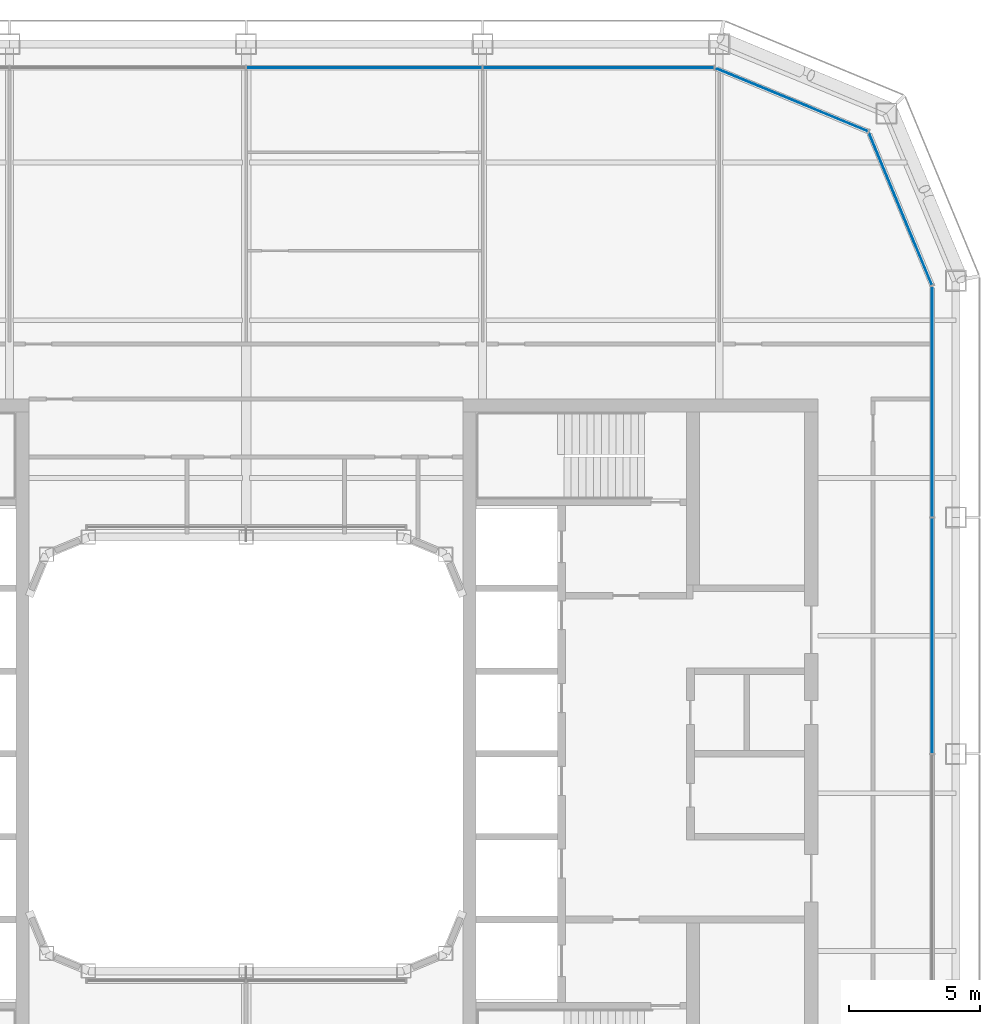
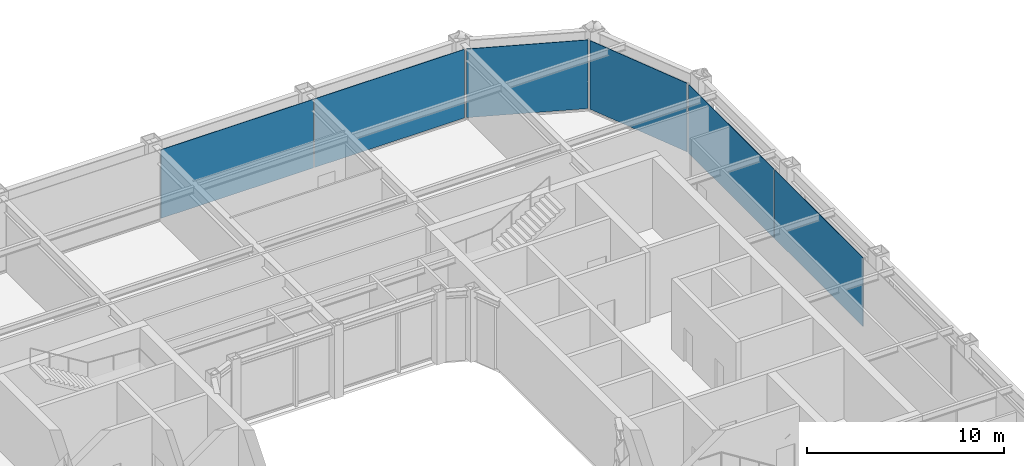
# One storey, part 12 of 23: 6 plates, 4 elements without a shape of their own.
"""IFC4 building model written with IfcOpenShell, lengths in metres."""

from ifc_helpers import new_model, si_unit, direction, frame, origin, origin_2d, place, context, subcontext, project, spatial, rectangle, extrude, material, layer, layer_set, type_object, element, aggregate, save


model = new_model("IFC4")

# Units and contexts
model_context = context("Model", 3, precision=1e-05, world=origin(), true_north=direction((0.0, 1.0)))
body_context = subcontext(model_context, "Body", "Model", "MODEL_VIEW")
ifc_project = project(units=[si_unit("LENGTHUNIT", "METRE"), si_unit("AREAUNIT", "SQUARE_METRE"), si_unit("VOLUMEUNIT", "CUBIC_METRE"), si_unit("PLANEANGLEUNIT", "RADIAN"), si_unit("MASSUNIT", "GRAM", prefix="KILO")], contexts=[model_context])

# Site, building, storey
site_placement = place(None, origin())
site = spatial("IfcSite", under=ifc_project, at=site_placement, CompositionType="ELEMENT")
building_placement = place(site_placement, origin())
building = spatial("IfcBuilding", under=site, at=building_placement, Name="Siwar Civic Tower", CompositionType="ELEMENT")
storey_placement = place(building_placement, frame((0.0, 0.0, 269.199951171875)))
storey = spatial("IfcBuildingStorey", under=building, at=storey_placement, Name="L58", CompositionType="ELEMENT", Elevation=269.199951171875)

# Curtain wall, plates
ifc_material_1 = material(Name="Aluminium and glass", Category="aluminium")
ifc_layer_1 = layer(ifc_material_1, 0.179931640625)
ifc_layer_set_1 = layer_set([ifc_layer_1], Name="Aluminium and glass")
curtain_wall_type_1 = type_object("IfcCurtainWallType", Name="ENV-CW-C", PredefinedType="NOTDEFINED", material=ifc_layer_set_1)
curtain_wall_1_placement = place(storey_placement, origin())
curtain_wall_1 = element("IfcCurtainWall", 1, at=curtain_wall_1_placement, inside=storey, type_object=curtain_wall_type_1, Name="Curtain wall C E", PredefinedType="NOTDEFINED")
ifc_material_2 = material(Name="Glass clear laminated", Category="glass")
ifc_layer_2 = layer(ifc_material_2, 0.031982421875)
ifc_layer_set_2 = layer_set([ifc_layer_2], Name="Glass clear laminated")
plate_type_1 = type_object("IfcPlateType", Name="ENV-PANEL-C", PredefinedType="CURTAIN_PANEL", material=ifc_layer_set_2)
plate_1_placement = place(storey_placement, frame((26.10009765625, 4.5, 0.10009765625), z_axis=(0.0, 0.0, 1.0), x_axis=(0.0, 1.0, 0.0)))
plate_1 = element("IfcPlate", 2, at=plate_1_placement, type_object=plate_type_1, Name="Curtain panel C E 3", PredefinedType="CURTAIN_PANEL", context=body_context, shape_type="SweptSolid", body=[
    extrude(rectangle(XDim=8.93994140625, YDim=0.031982421875, at=origin_2d()), origin(), (0.0, 0.0, 1.0), 4.25),
])
plate_2_placement = place(storey_placement, frame((26.10009765625, 13.373046875, 0.10009765625), z_axis=(0.0, 0.0, 1.0), x_axis=(0.0, 1.0, 0.0)))
plate_2 = element("IfcPlate", 3, at=plate_2_placement, type_object=plate_type_1, Name="Curtain panel C E 4", PredefinedType="CURTAIN_PANEL", context=body_context, shape_type="SweptSolid", body=[
    extrude(rectangle(XDim=8.68603515625, YDim=0.031982421875, at=origin_2d()), origin(), (0.0, 0.0, 1.0), 4.25),
])
aggregate(curtain_wall_1, [plate_1, plate_2])

curtain_wall_2_placement = place(storey_placement, origin())
curtain_wall_2 = element("IfcCurtainWall", 4, at=curtain_wall_2_placement, inside=storey, type_object=curtain_wall_type_1, Name="Curtain wall C N", PredefinedType="NOTDEFINED")
plate_3_placement = place(storey_placement, frame((13.410400390625, 26.10009765625, 0.10009765625), z_axis=(0.0, 0.0, 1.0), x_axis=(-1.0, 0.0, 0.0)))
plate_3 = element("IfcPlate", 5, at=plate_3_placement, type_object=plate_type_1, Name="Curtain panel C N 1", PredefinedType="CURTAIN_PANEL", context=body_context, shape_type="SweptSolid", body=[
    extrude(rectangle(XDim=8.760986328125, YDim=0.031982421875, at=origin_2d()), origin(), (0.0, 0.0, 1.0), 4.25),
])
plate_4_placement = place(storey_placement, frame((4.5, 26.10009765625, 0.10009765625), z_axis=(0.0, 0.0, 1.0), x_axis=(-1.0, 0.0, 0.0)))
plate_4 = element("IfcPlate", 6, at=plate_4_placement, type_object=plate_type_1, Name="Curtain panel C N 2", PredefinedType="CURTAIN_PANEL", context=body_context, shape_type="SweptSolid", body=[
    extrude(rectangle(XDim=8.93994140625, YDim=0.031982421875, at=origin_2d()), origin(), (0.0, 0.0, 1.0), 4.25),
])
aggregate(curtain_wall_2, [plate_3, plate_4])

# Curtain wall, plate
ifc_material_3 = material(Name="Aluminium clad insulated panel", Category="aluminium")
ifc_layer_3 = layer(ifc_material_3, 0.179931640625)
ifc_layer_set_3 = layer_set([ifc_layer_3], Name="Aluminium clad insulated panel")
curtain_wall_type_2 = type_object("IfcCurtainWallType", Name="ENV-CW-CX", PredefinedType="NOTDEFINED", material=ifc_layer_set_3)
curtain_wall_3_placement = place(storey_placement, origin())
curtain_wall_3 = element("IfcCurtainWall", 7, at=curtain_wall_3_placement, inside=storey, type_object=curtain_wall_type_2, Name="Curtain wall C NE1", PredefinedType="NOTDEFINED")
ifc_material_4 = material(Name="Aluminium clad insulated panel", Category="aluminium")
ifc_layer_4 = layer(ifc_material_4, 0.031982421875)
ifc_layer_set_4 = layer_set([ifc_layer_4], Name="Aluminium clad insulated panel")
plate_type_2 = type_object("IfcPlateType", Name="ENV-PANEL-CX", PredefinedType="CURTAIN_PANEL", material=ifc_layer_set_4)
plate_5_placement = place(storey_placement, frame((24.90185546875, 20.71337890625, 0.10009765625), z_axis=(0.0, 0.0, 1.0), x_axis=(-0.382683432365, 0.923879532511, 0.0)))
plate_5 = element("IfcPlate", 8, at=plate_5_placement, type_object=plate_type_2, Name="Curtain panel C NE1 1", PredefinedType="CURTAIN_PANEL", context=body_context, shape_type="SweptSolid", body=[
    extrude(rectangle(XDim=6.20166015625, YDim=0.031982421875, at=origin_2d()), origin(), (0.0, 0.0, 1.0), 4.25),
])
aggregate(curtain_wall_3, [plate_5])

curtain_wall_4_placement = place(storey_placement, origin())
curtain_wall_4 = element("IfcCurtainWall", 9, at=curtain_wall_4_placement, inside=storey, type_object=curtain_wall_type_2, Name="Curtain wall C NE2", PredefinedType="NOTDEFINED")
plate_6_placement = place(storey_placement, frame((20.78271484375, 24.873291015625, 0.10009765625), z_axis=(0.0, 0.0, 1.0), x_axis=(-0.923879532511, 0.382683432365, 0.0)))
plate_6 = element("IfcPlate", 10, at=plate_6_placement, type_object=plate_type_2, Name="Curtain panel C NE2 1", PredefinedType="CURTAIN_PANEL", context=body_context, shape_type="SweptSolid", body=[
    extrude(rectangle(XDim=6.20166015625, YDim=0.031982421875, at=origin_2d()), origin(), (0.0, 0.0, 1.0), 4.25),
])
aggregate(curtain_wall_4, [plate_6])

save(model, "model.ifc")
